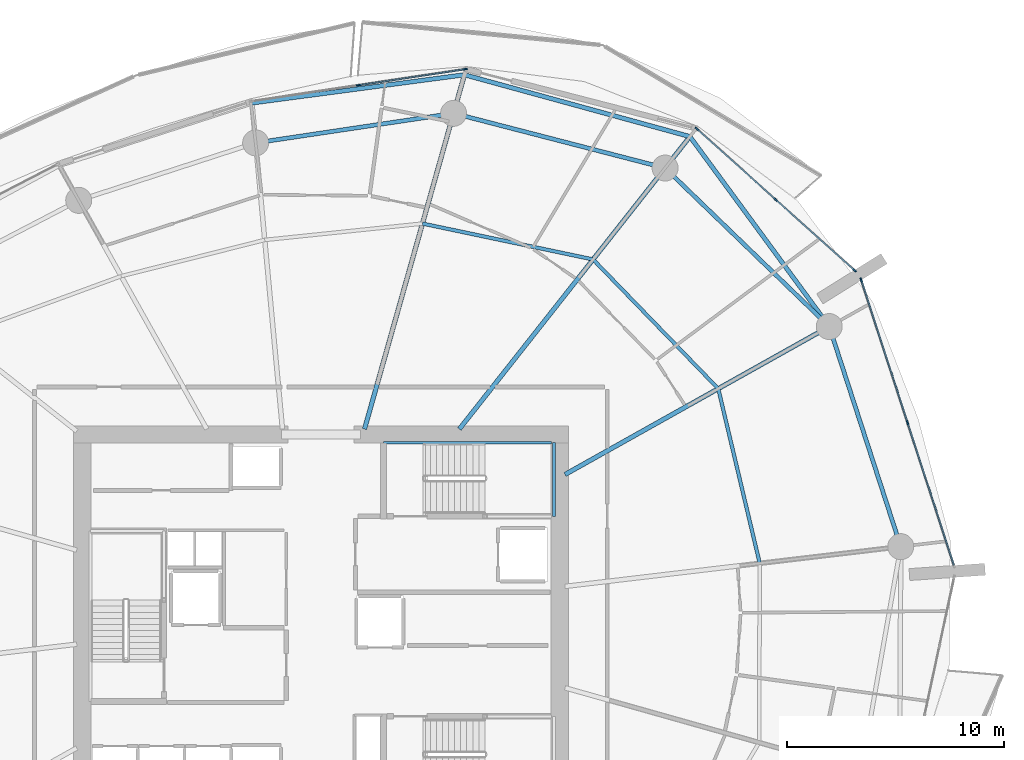
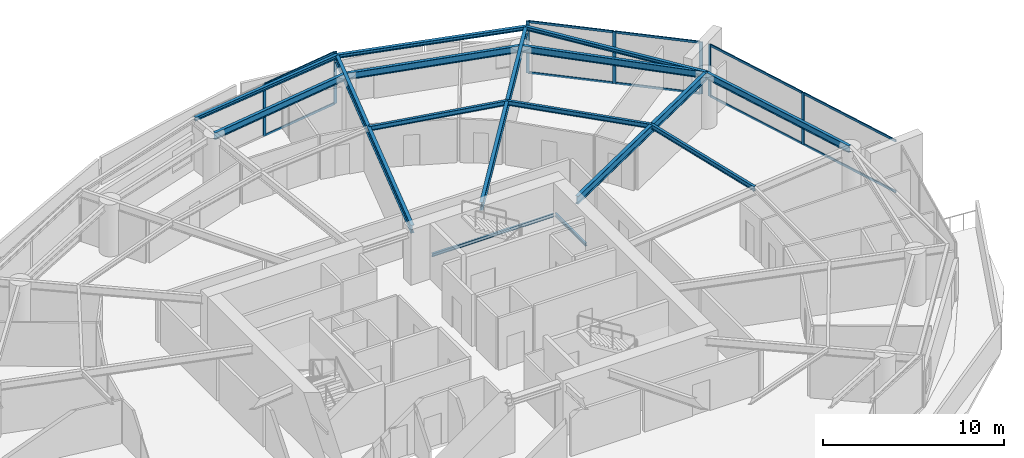
# One storey, part 9 of 22: 17 members, 15 beams, 3 elements without a shape of their own.
"""IFC4 building model written with IfcOpenShell, lengths in metres."""

from ifc_helpers import new_model, si_unit, direction, frame, origin, origin_2d, place, context, subcontext, project, spatial, rectangle, i_section, extrude, material, layer, layer_set, material_profile, profile_set, type_object, element, aggregate, save


model = new_model("IFC4")

# Units and contexts
model_context = context("Model", 3, precision=1e-05, world=origin(), true_north=direction((0.0, 1.0)))
body_context = subcontext(model_context, "Body", "Model", "MODEL_VIEW")
ifc_project = project(units=[si_unit("LENGTHUNIT", "METRE"), si_unit("AREAUNIT", "SQUARE_METRE"), si_unit("VOLUMEUNIT", "CUBIC_METRE"), si_unit("PLANEANGLEUNIT", "RADIAN"), si_unit("MASSUNIT", "GRAM", prefix="KILO")], contexts=[model_context])

# Site, building, storey
site_placement = place(None, origin())
site = spatial("IfcSite", under=ifc_project, at=site_placement, CompositionType="ELEMENT")
building_placement = place(site_placement, origin())
building = spatial("IfcBuilding", under=site, at=building_placement, Name="Kazma Halo Residences", CompositionType="ELEMENT")
storey_placement = place(building_placement, frame((0.0, 0.0, 90.14990234375)))
storey = spatial("IfcBuildingStorey", under=building, at=storey_placement, Name="L22", CompositionType="ELEMENT", Elevation=90.14990234375)

# Beams
ifc_material_1 = material(Name="Steel S355", Category="steel")
ifc_material_profile_1 = material_profile(ifc_material_1, i_section(OverallWidth=0.201904296875, OverallDepth=0.2470703125, WebThickness=0.00732421875, FlangeThickness=0.010986328125, FilletRadius=0.011962890625, at=origin_2d()), Name="W250x49.1")
ifc_profile_set_1 = profile_set([ifc_material_profile_1], Name="Steel S355")
beam_type_1 = type_object("IfcBeamType", Name="BM-BAL-CANT", PredefinedType="BEAM", material=ifc_profile_set_1)
beam_1_placement = place(storey_placement, frame((71.9033203125, 55.386474609375, 3.376708984375), z_axis=(-0.59144927253, 0.806342209005, 0.0), x_axis=(-0.806342209005, -0.59144927253, 0.0)))
element("IfcBeam", 1, at=beam_1_placement, inside=storey, type_object=beam_type_1, Name="L22 wave-balcony lead tie beam 01", PredefinedType="BEAM", context=body_context, shape_type="SweptSolid", body=[
    extrude(i_section(OverallWidth=0.201904296875, OverallDepth=0.2470703125, WebThickness=0.00732421875, FlangeThickness=0.010986328125, FilletRadius=0.011962890625, at=origin_2d()), origin(), (0.0, 0.0, 1.0), 10.87939453125),
])
beam_2_placement = place(storey_placement, frame((65.46875, 64.158935546875, 3.376708984375), z_axis=(-0.964396617, 0.264460139, 0.0), x_axis=(-0.264460139, -0.964396617, 0.0)))
element("IfcBeam", 2, at=beam_2_placement, inside=storey, type_object=beam_type_1, Name="L22 wave-balcony tie beam 02", PredefinedType="BEAM", context=body_context, shape_type="SweptSolid", body=[
    extrude(i_section(OverallWidth=0.201904296875, OverallDepth=0.2470703125, WebThickness=0.00732421875, FlangeThickness=0.010986328125, FilletRadius=0.011962890625, at=origin_2d()), origin(), (0.0, 0.0, 1.0), 10.79833984375),
])
beam_3_placement = place(storey_placement, frame((55.054931640625, 67.0146484375, 3.376708984375), z_axis=(-0.991294955884, -0.131659828494, 0.0), x_axis=(0.131659828494, -0.991294955884, 0.0)))
element("IfcBeam", 3, at=beam_3_placement, inside=storey, type_object=beam_type_1, Name="L22 wave-balcony tie beam 03", PredefinedType="BEAM", context=body_context, shape_type="SweptSolid", body=[
    extrude(i_section(OverallWidth=0.201904296875, OverallDepth=0.2470703125, WebThickness=0.00732421875, FlangeThickness=0.010986328125, FilletRadius=0.011962890625, at=origin_2d()), origin(), (0.0, 0.0, 1.0), 9.902099609375),
])
ifc_material_profile_2 = material_profile(ifc_material_1, i_section(OverallWidth=0.208984375, OverallDepth=0.532958984375, WebThickness=0.01025390625, FlangeThickness=0.015625, FilletRadius=0.01611328125, at=origin_2d()), Name="W530x92")
ifc_profile_set_2 = profile_set([ifc_material_profile_2], Name="Steel S355")
beam_type_2 = type_object("IfcBeamType", Name="BM-RAD-W530", PredefinedType="BEAM", material=ifc_profile_set_2)
beam_4_placement = place(storey_placement, frame((59.699951171875, 48.55224609375, 3.233642578125), z_axis=(0.87249559794, 0.488621972055, 0.0), x_axis=(-0.488621972055, 0.87249559794, 0.0)))
element("IfcBeam", 4, at=beam_4_placement, inside=storey, type_object=beam_type_2, Name="L22 radial floor beam 01", PredefinedType="BEAM", context=body_context, shape_type="SweptSolid", body=[
    extrude(i_section(OverallWidth=0.208984375, OverallDepth=0.532958984375, WebThickness=0.01025390625, FlangeThickness=0.015625, FilletRadius=0.01611328125, at=origin_2d()), origin(), (0.0, 0.0, 1.0), 13.98681640625),
])
beam_5_placement = place(storey_placement, frame((54.819091796875, 50.64990234375, 3.233642578125), z_axis=(0.619093774822, 0.785317068436, 0.0), x_axis=(-0.785317068436, 0.619093774822, 0.0)))
element("IfcBeam", 5, at=beam_5_placement, inside=storey, type_object=beam_type_2, Name="L22 radial floor beam 02", PredefinedType="BEAM", context=body_context, shape_type="SweptSolid", body=[
    extrude(i_section(OverallWidth=0.208984375, OverallDepth=0.532958984375, WebThickness=0.01025390625, FlangeThickness=0.015625, FilletRadius=0.01611328125, at=origin_2d()), origin(), (0.0, 0.0, 1.0), 17.201904296875),
])
beam_6_placement = place(storey_placement, frame((50.439697265625, 50.64990234375, 3.233642578125), z_axis=(0.271434928076, 0.962456793742, 0.0), x_axis=(-0.962456793742, 0.271434928076, 0.0)))
element("IfcBeam", 6, at=beam_6_placement, inside=storey, type_object=beam_type_2, Name="L22 radial floor beam 03", PredefinedType="BEAM", context=body_context, shape_type="SweptSolid", body=[
    extrude(i_section(OverallWidth=0.208984375, OverallDepth=0.532958984375, WebThickness=0.01025390625, FlangeThickness=0.015625, FilletRadius=0.01611328125, at=origin_2d()), origin(), (0.0, 0.0, 1.0), 17.003173828125),
])
ifc_material_profile_3 = material_profile(ifc_material_1, i_section(OverallWidth=0.1650390625, OverallDepth=0.31005859375, WebThickness=0.005859375, FlangeThickness=0.009765625, FilletRadius=0.011962890625, at=origin_2d()), Name="W310x38.7")
ifc_profile_set_3 = profile_set([ifc_material_profile_3], Name="Steel S355")
beam_type_3 = type_object("IfcBeamType", Name="BM-SEC-W310B", PredefinedType="JOIST", material=ifc_profile_set_3)
beam_7_placement = place(storey_placement, frame((66.77783203125, 52.51611328125, 3.34521484375), z_axis=(-0.695765378161, 0.718269126827, 0.0), x_axis=(-0.718269126827, -0.695765378161, 0.0)))
element("IfcBeam", 7, at=beam_7_placement, inside=storey, type_object=beam_type_3, Name="L22 circumferential floor joist 01", PredefinedType="JOIST", context=body_context, shape_type="SweptSolid", body=[
    extrude(i_section(OverallWidth=0.1650390625, OverallDepth=0.31005859375, WebThickness=0.005859375, FlangeThickness=0.009765625, FilletRadius=0.011962890625, at=origin_2d()), origin(), (0.0, 0.0, 1.0), 8.310302734375),
])
beam_8_placement = place(storey_placement, frame((60.995849609375, 58.485107421875, 3.34521484375), z_axis=(-0.978607976751, 0.205733876255, 0.0), x_axis=(-0.205733876255, -0.978607976751, 0.0)))
element("IfcBeam", 8, at=beam_8_placement, inside=storey, type_object=beam_type_3, Name="L22 circumferential floor joist 02", PredefinedType="JOIST", context=body_context, shape_type="SweptSolid", body=[
    extrude(i_section(OverallWidth=0.1650390625, OverallDepth=0.31005859375, WebThickness=0.005859375, FlangeThickness=0.009765625, FilletRadius=0.011962890625, at=origin_2d()), origin(), (0.0, 0.0, 1.0), 8.051513671875),
])
beam_9_placement = place(storey_placement, frame((68.69384765625, 44.44921875, 3.34521484375), z_axis=(-0.231087064161, 0.972933075179, 0.0), x_axis=(-0.972933075179, -0.231087064161, 0.0)))
element("IfcBeam", 9, at=beam_9_placement, inside=storey, type_object=beam_type_3, Name="L22 circumferential floor joist 16", PredefinedType="JOIST", context=body_context, shape_type="SweptSolid", body=[
    extrude(i_section(OverallWidth=0.1650390625, OverallDepth=0.31005859375, WebThickness=0.005859375, FlangeThickness=0.009765625, FilletRadius=0.011962890625, at=origin_2d()), origin(), (0.0, 0.0, 1.0), 8.291259765625),
])
ifc_material_profile_4 = material_profile(ifc_material_1, i_section(OverallWidth=0.18994140625, OverallDepth=0.45703125, WebThickness=0.009033203125, FlangeThickness=0.014404296875, FilletRadius=0.01611328125, at=origin_2d()), Name="W460x74")
ifc_profile_set_4 = profile_set([ifc_material_profile_4], Name="Steel S355")
beam_type_4 = type_object("IfcBeamType", Name="BM-SPN-W460", PredefinedType="BEAM", material=ifc_profile_set_4)
beam_10_placement = place(storey_placement, frame((71.9033203125, 55.386474609375, 3.271484375), z_axis=(-0.719336783114, 0.694661494873, 0.0), x_axis=(-0.694661494873, -0.719336783114, 0.0)))
element("IfcBeam", 10, at=beam_10_placement, inside=storey, type_object=beam_type_4, Name="L22 perimeter ring beam 01", PredefinedType="BEAM", context=body_context, shape_type="SweptSolid", body=[
    extrude(i_section(OverallWidth=0.18994140625, OverallDepth=0.45703125, WebThickness=0.009033203125, FlangeThickness=0.014404296875, FilletRadius=0.01611328125, at=origin_2d()), origin(), (0.0, 0.0, 1.0), 10.537353515625),
])
beam_11_placement = place(storey_placement, frame((64.323486328125, 62.706298828125, 3.271484375), z_axis=(-0.968124968683, 0.250467652626, 0.0), x_axis=(-0.250467652626, -0.968124968683, 0.0)))
element("IfcBeam", 11, at=beam_11_placement, inside=storey, type_object=beam_type_4, Name="L22 perimeter ring beam 02", PredefinedType="BEAM", context=body_context, shape_type="SweptSolid", body=[
    extrude(i_section(OverallWidth=0.18994140625, OverallDepth=0.45703125, WebThickness=0.009033203125, FlangeThickness=0.014404296875, FilletRadius=0.01611328125, at=origin_2d()), origin(), (0.0, 0.0, 1.0), 10.092529296875),
])
beam_12_placement = place(storey_placement, frame((54.552734375, 65.234130859375, 3.271484375), z_axis=(-0.989034176303, -0.147686824414, 0.0), x_axis=(0.147686824414, -0.989034176303, 0.0)))
element("IfcBeam", 12, at=beam_12_placement, inside=storey, type_object=beam_type_4, Name="L22 perimeter ring beam 03", PredefinedType="BEAM", context=body_context, shape_type="SweptSolid", body=[
    extrude(i_section(OverallWidth=0.18994140625, OverallDepth=0.45703125, WebThickness=0.009033203125, FlangeThickness=0.014404296875, FilletRadius=0.01611328125, at=origin_2d()), origin(), (0.0, 0.0, 1.0), 9.242431640625),
])
beam_13_placement = place(storey_placement, frame((75.20654296875, 45.22021484375, 3.271484375), z_axis=(-0.309017385422, 0.951056389236, 0.0), x_axis=(-0.951056389236, -0.309017385422, 0.0)))
element("IfcBeam", 13, at=beam_13_placement, inside=storey, type_object=beam_type_4, Name="L22 perimeter ring beam 16", PredefinedType="BEAM", context=body_context, shape_type="SweptSolid", body=[
    extrude(i_section(OverallWidth=0.18994140625, OverallDepth=0.45703125, WebThickness=0.009033203125, FlangeThickness=0.014404296875, FilletRadius=0.01611328125, at=origin_2d()), origin(), (0.0, 0.0, 1.0), 10.689453125),
])
ifc_material_profile_5 = material_profile(ifc_material_1, i_section(OverallWidth=0.133056640625, OverallDepth=0.20703125, WebThickness=0.005859375, FlangeThickness=0.00830078125, FilletRadius=0.010009765625, at=origin_2d()), Name="W200x26.6")
ifc_profile_set_5 = profile_set([ifc_material_profile_5], Name="Steel S355")
beam_type_5 = type_object("IfcBeamType", Name="BM-TRIM-W200", PredefinedType="BEAM", material=ifc_profile_set_5)
beam_14_placement = place(storey_placement, frame((51.31005859375, 50.02001953125, 1.570068359375), z_axis=(1.0, 0.0, 0.0), x_axis=(0.0, 1.0, 0.0)))
element("IfcBeam", 14, at=beam_14_placement, inside=storey, type_object=beam_type_5, Name="L22 ST-02 landing north wall ledger", PredefinedType="BEAM", context=body_context, shape_type="SweptSolid", body=[
    extrude(i_section(OverallWidth=0.133056640625, OverallDepth=0.20703125, WebThickness=0.005859375, FlangeThickness=0.00830078125, FilletRadius=0.010009765625, at=origin_2d()), origin(), (0.0, 0.0, 1.0), 7.760009765625),
])
beam_15_placement = place(storey_placement, frame((59.18994140625, 46.6201171875, 1.570068359375), z_axis=(0.0, 1.0, 0.0), x_axis=(-1.0, 0.0, 0.0)))
element("IfcBeam", 15, at=beam_15_placement, inside=storey, type_object=beam_type_5, Name="L22 ST-02 landing end wall ledger", PredefinedType="BEAM", context=body_context, shape_type="SweptSolid", body=[
    extrude(i_section(OverallWidth=0.133056640625, OverallDepth=0.20703125, WebThickness=0.005859375, FlangeThickness=0.00830078125, FilletRadius=0.010009765625, at=origin_2d()), origin(), (0.0, 0.0, 1.0), 3.39990234375),
])

# Curtain wall, members
ifc_material_2 = material(Name="Aluminium AW-6063 T6 and Triple-Silver Low-E Glass", Category="aluminium")
ifc_layer = layer(ifc_material_2, 0.199951171875)
ifc_layer_set = layer_set([ifc_layer], Name="Aluminium AW-6063 T6 and Triple-Silver Low-E Glass")
curtain_wall_type = type_object("IfcCurtainWallType", Name="CW-SYS-3", PredefinedType="NOTDEFINED", material=ifc_layer_set)
curtain_wall_1_placement = place(storey_placement, origin())
curtain_wall_1 = element("IfcCurtainWall", 16, at=curtain_wall_1_placement, inside=storey, type_object=curtain_wall_type, Name="L22 unitised curtain wall B01", PredefinedType="NOTDEFINED")
ifc_material_3 = material(Name="Aluminium AW-6063 T6", Category="aluminium")
ifc_material_profile_6 = material_profile(ifc_material_3, rectangle(XDim=0.070068359375, YDim=0.199951171875, at=origin_2d()), Name="CWM-70x200")
ifc_profile_set_6 = profile_set([ifc_material_profile_6], Name="Aluminium AW-6063 T6")
member_type_1 = type_object("IfcMemberType", Name="CW-SYS-3-MUL", PredefinedType="MULLION", material=ifc_profile_set_6)
member_1_placement = place(storey_placement, frame((73.071044921875, 57.981201171875, 0.0), z_axis=(0.0, 0.0, 1.0), x_axis=(-0.667794957375, -0.744345279359, 0.0)))
member_1 = element("IfcMember", 17, at=member_1_placement, type_object=member_type_1, Name="CWS-3 mullion 1", PredefinedType="MULLION", context=body_context, shape_type="SweptSolid", body=[
    extrude(rectangle(XDim=0.070068359375, YDim=0.199951171875, at=origin_2d()), origin(), (0.0, 0.0, 1.0), 3.5),
])
member_2_placement = place(storey_placement, frame((69.431396484375, 61.24658203125, 0.0), z_axis=(0.0, 0.0, 1.0), x_axis=(-0.667794957375, -0.744345279359, 0.0)))
member_2 = element("IfcMember", 18, at=member_2_placement, type_object=member_type_1, Name="CWS-3 mullion 2", PredefinedType="MULLION", context=body_context, shape_type="SweptSolid", body=[
    extrude(rectangle(XDim=0.070068359375, YDim=0.199951171875, at=origin_2d()), origin(), (0.0, 0.0, 1.0), 3.5),
])
member_3_placement = place(storey_placement, frame((65.791748046875, 64.51220703125, 0.0), z_axis=(0.0, 0.0, 1.0), x_axis=(-0.667794957375, -0.744345279359, 0.0)))
member_3 = element("IfcMember", 19, at=member_3_placement, type_object=member_type_1, Name="CWS-3 mullion 3", PredefinedType="MULLION", context=body_context, shape_type="SweptSolid", body=[
    extrude(rectangle(XDim=0.070068359375, YDim=0.199951171875, at=origin_2d()), origin(), (0.0, 0.0, 1.0), 3.5),
])

curtain_wall_2_placement = place(storey_placement, origin())
curtain_wall_2 = element("IfcCurtainWall", 20, at=curtain_wall_2_placement, inside=storey, type_object=curtain_wall_type, Name="L22 unitised curtain wall B03", PredefinedType="NOTDEFINED")
member_4_placement = place(storey_placement, frame((55.09423828125, 67.271728515625, 0.0), z_axis=(0.0, 0.0, 1.0), x_axis=(0.148717330409, -0.988879747814, 0.0)))
member_4 = element("IfcMember", 21, at=member_4_placement, type_object=member_type_1, Name="CWS-3 mullion 1", PredefinedType="MULLION", context=body_context, shape_type="SweptSolid", body=[
    extrude(rectangle(XDim=0.070068359375, YDim=0.199951171875, at=origin_2d()), origin(), (0.0, 0.0, 1.0), 3.5),
])
member_5_placement = place(storey_placement, frame((50.156982421875, 66.529296875, 0.0), z_axis=(0.0, 0.0, 1.0), x_axis=(0.148717330409, -0.988879747814, 0.0)))
member_5 = element("IfcMember", 22, at=member_5_placement, type_object=member_type_1, Name="CWS-3 mullion 2", PredefinedType="MULLION", context=body_context, shape_type="SweptSolid", body=[
    extrude(rectangle(XDim=0.070068359375, YDim=0.199951171875, at=origin_2d()), origin(), (0.0, 0.0, 1.0), 3.5),
])

curtain_wall_3_placement = place(storey_placement, origin())
curtain_wall_3 = element("IfcCurtainWall", 23, at=curtain_wall_3_placement, inside=storey, type_object=curtain_wall_type, Name="L22 unitised curtain wall B16", PredefinedType="NOTDEFINED")
member_6_placement = place(storey_placement, frame((75.52099609375, 50.942138671875, 0.0), z_axis=(0.0, 0.0, 1.0), x_axis=(-0.951057722508, -0.309013282008, 0.0)))
member_6 = element("IfcMember", 24, at=member_6_placement, type_object=member_type_1, Name="CWS-3 mullion 2", PredefinedType="MULLION", context=body_context, shape_type="SweptSolid", body=[
    extrude(rectangle(XDim=0.070068359375, YDim=0.199951171875, at=origin_2d()), origin(), (0.0, 0.0, 1.0), 3.5),
])
member_7_placement = place(storey_placement, frame((73.376708984375, 57.54150390625, 0.0), z_axis=(0.0, 0.0, 1.0), x_axis=(-0.951057722508, -0.309013282008, 0.0)))
member_7 = element("IfcMember", 25, at=member_7_placement, type_object=member_type_1, Name="CWS-3 mullion 3", PredefinedType="MULLION", context=body_context, shape_type="SweptSolid", body=[
    extrude(rectangle(XDim=0.070068359375, YDim=0.199951171875, at=origin_2d()), origin(), (0.0, 0.0, 1.0), 3.5),
])

# Member
ifc_material_profile_7 = material_profile(ifc_material_3, rectangle(XDim=0.070068359375, YDim=0.14990234375, at=origin_2d()), Name="CWT-70x150")
ifc_profile_set_7 = profile_set([ifc_material_profile_7], Name="Aluminium AW-6063 T6")
member_type_2 = type_object("IfcMemberType", Name="CW-SYS-3-TRN", PredefinedType="USERDEFINED", material=ifc_profile_set_7)
member_8_placement = place(storey_placement, frame((73.045166015625, 58.004638671875, 0.03515625), z_axis=(-0.744338471453, 0.667802545603, 0.0), x_axis=(-0.667802545603, -0.744338471453, 0.0)))
member_8 = element("IfcMember", 26, at=member_8_placement, type_object=member_type_2, Name="CWS-3 transom 1.1", ObjectType="TRANSOM", PredefinedType="USERDEFINED", context=body_context, shape_type="SweptSolid", body=[
    extrude(rectangle(XDim=0.070068359375, YDim=0.14990234375, at=origin_2d()), origin(), (0.0, 0.0, 1.0), 4.81982421875),
])

member_9_placement = place(storey_placement, frame((73.045166015625, 58.004638671875, 3.465087890625), z_axis=(-0.744338471453, 0.667802545603, 0.0), x_axis=(-0.667802545603, -0.744338471453, 0.0)))
member_9 = element("IfcMember", 27, at=member_9_placement, type_object=member_type_2, Name="CWS-3 transom 1.2", ObjectType="TRANSOM", PredefinedType="USERDEFINED", context=body_context, shape_type="SweptSolid", body=[
    extrude(rectangle(XDim=0.070068359375, YDim=0.14990234375, at=origin_2d()), origin(), (0.0, 0.0, 1.0), 4.81982421875),
])

member_10_placement = place(storey_placement, frame((69.4052734375, 61.27001953125, 0.03515625), z_axis=(-0.744338471453, 0.667802545603, 0.0), x_axis=(-0.667802545603, -0.744338471453, 0.0)))
member_10 = element("IfcMember", 28, at=member_10_placement, type_object=member_type_2, Name="CWS-3 transom 2.1", ObjectType="TRANSOM", PredefinedType="USERDEFINED", context=body_context, shape_type="SweptSolid", body=[
    extrude(rectangle(XDim=0.070068359375, YDim=0.14990234375, at=origin_2d()), origin(), (0.0, 0.0, 1.0), 4.81982421875),
])

member_11_placement = place(storey_placement, frame((69.4052734375, 61.27001953125, 3.465087890625), z_axis=(-0.744338471453, 0.667802545603, 0.0), x_axis=(-0.667802545603, -0.744338471453, 0.0)))
member_11 = element("IfcMember", 29, at=member_11_placement, type_object=member_type_2, Name="CWS-3 transom 2.2", ObjectType="TRANSOM", PredefinedType="USERDEFINED", context=body_context, shape_type="SweptSolid", body=[
    extrude(rectangle(XDim=0.070068359375, YDim=0.14990234375, at=origin_2d()), origin(), (0.0, 0.0, 1.0), 4.81982421875),
])

aggregate(curtain_wall_1, [member_1, member_2, member_3, member_8, member_9, member_10, member_11])

member_12_placement = place(storey_placement, frame((55.0595703125, 67.2666015625, 0.03515625), z_axis=(-0.988876977991, -0.148735746878, 0.0), x_axis=(0.148735746878, -0.988876977991, 0.0)))
member_12 = element("IfcMember", 30, at=member_12_placement, type_object=member_type_2, Name="CWS-3 transom 1.1", ObjectType="TRANSOM", PredefinedType="USERDEFINED", context=body_context, shape_type="SweptSolid", body=[
    extrude(rectangle(XDim=0.070068359375, YDim=0.14990234375, at=origin_2d()), origin(), (0.0, 0.0, 1.0), 4.922607421875),
])

member_13_placement = place(storey_placement, frame((55.0595703125, 67.2666015625, 3.465087890625), z_axis=(-0.988876977991, -0.148735746878, 0.0), x_axis=(0.148735746878, -0.988876977991, 0.0)))
member_13 = element("IfcMember", 31, at=member_13_placement, type_object=member_type_2, Name="CWS-3 transom 1.2", ObjectType="TRANSOM", PredefinedType="USERDEFINED", context=body_context, shape_type="SweptSolid", body=[
    extrude(rectangle(XDim=0.070068359375, YDim=0.14990234375, at=origin_2d()), origin(), (0.0, 0.0, 1.0), 4.922607421875),
])

aggregate(curtain_wall_2, [member_4, member_5, member_12, member_13])

member_14_placement = place(storey_placement, frame((77.654541015625, 44.3759765625, 0.03515625), z_axis=(-0.309000079699, 0.95106201204, 0.0), x_axis=(-0.95106201204, -0.309000079699, 0.0)))
member_14 = element("IfcMember", 32, at=member_14_placement, type_object=member_type_2, Name="CWS-3 transom 1.1", ObjectType="TRANSOM", PredefinedType="USERDEFINED", context=body_context, shape_type="SweptSolid", body=[
    extrude(rectangle(XDim=0.070068359375, YDim=0.14990234375, at=origin_2d()), origin(), (0.0, 0.0, 1.0), 6.869140625),
])

member_15_placement = place(storey_placement, frame((77.654541015625, 44.3759765625, 3.465087890625), z_axis=(-0.309000079699, 0.95106201204, 0.0), x_axis=(-0.95106201204, -0.309000079699, 0.0)))
member_15 = element("IfcMember", 33, at=member_15_placement, type_object=member_type_2, Name="CWS-3 transom 1.2", ObjectType="TRANSOM", PredefinedType="USERDEFINED", context=body_context, shape_type="SweptSolid", body=[
    extrude(rectangle(XDim=0.070068359375, YDim=0.14990234375, at=origin_2d()), origin(), (0.0, 0.0, 1.0), 6.869140625),
])

member_16_placement = place(storey_placement, frame((75.51025390625, 50.975341796875, 0.03515625), z_axis=(-0.309000079699, 0.95106201204, 0.0), x_axis=(-0.95106201204, -0.309000079699, 0.0)))
member_16 = element("IfcMember", 34, at=member_16_placement, type_object=member_type_2, Name="CWS-3 transom 2.1", ObjectType="TRANSOM", PredefinedType="USERDEFINED", context=body_context, shape_type="SweptSolid", body=[
    extrude(rectangle(XDim=0.070068359375, YDim=0.14990234375, at=origin_2d()), origin(), (0.0, 0.0, 1.0), 6.869140625),
])

member_17_placement = place(storey_placement, frame((75.51025390625, 50.975341796875, 3.465087890625), z_axis=(-0.309000079699, 0.95106201204, 0.0), x_axis=(-0.95106201204, -0.309000079699, 0.0)))
member_17 = element("IfcMember", 35, at=member_17_placement, type_object=member_type_2, Name="CWS-3 transom 2.2", ObjectType="TRANSOM", PredefinedType="USERDEFINED", context=body_context, shape_type="SweptSolid", body=[
    extrude(rectangle(XDim=0.070068359375, YDim=0.14990234375, at=origin_2d()), origin(), (0.0, 0.0, 1.0), 6.869140625),
])

aggregate(curtain_wall_3, [member_6, member_7, member_14, member_15, member_16, member_17])

save(model, "model.ifc")
